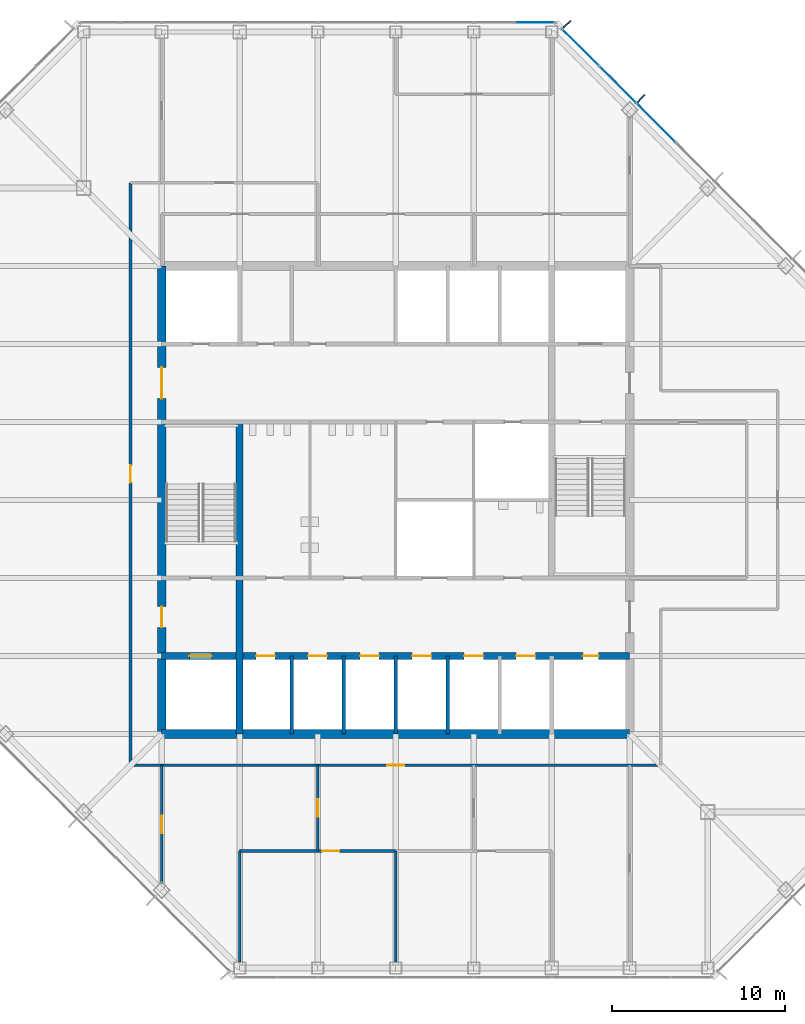
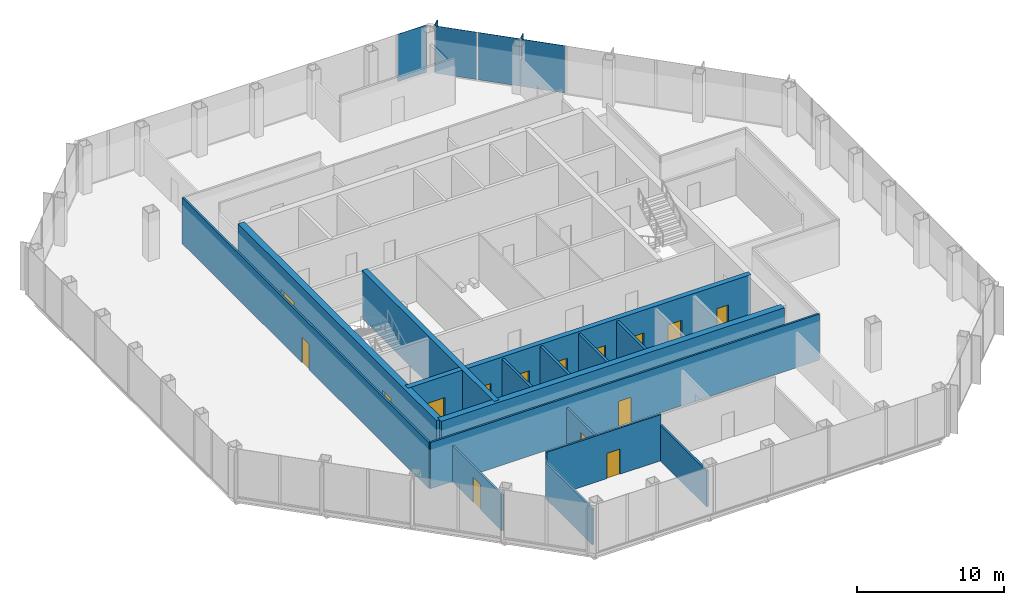
# One storey, part 8 of 12: 15 doors, 15 walls, 6 plates, 15 openings, 2 elements without a shape of their own.
"""IFC4 building model written with IfcOpenShell, lengths in metres."""

import ifcopenshell
import ifcopenshell.guid

model = None  # the IFC model being written
_history = None  # IfcOwnerHistory: only IFC2X3 demands one
_inside = {}  # id of a spatial element -> (the spatial element, [elements in it])
_under = {}  # id of a project, library or spatial element -> (it, [spatial elements below it])
_declared = {}  # id of a project -> (the project, [libraries it declares])
_typed = {}  # id of a type object -> (the type object, [elements of that type])
_made_of = {}  # id of a material, layer set ... -> (it, [elements and type objects made of it])


def new_model(schema):
    """Start an empty IFC model of exactly this schema.

    Asked for "IFC4X3", IfcOpenShell would pick the latest addendum, in which some entities
    have other attributes; the version numbers below select the first issue.
    IFC2X3 requires an IfcOwnerHistory on every rooted entity: one is made here for all.
    """
    global model, _history
    if schema == "IFC4X3":
        model = ifcopenshell.file(schema_version=(4, 3, 0, 0))
    else:
        model = ifcopenshell.file(schema=schema)
    _inside.clear()
    _under.clear()
    _declared.clear()
    _typed.clear()
    _made_of.clear()
    _history = None
    if model.schema == "IFC2X3":
        org = make("IfcOrganization", Name="unknown")
        user = make(
            "IfcPersonAndOrganization",
            ThePerson=make("IfcPerson", FamilyName="unknown"),
            TheOrganization=org,
        )
        app = make(
            "IfcApplication",
            ApplicationDeveloper=org,
            Version="unknown",
            ApplicationFullName="unknown",
            ApplicationIdentifier="unknown",
        )
        _history = make(
            "IfcOwnerHistory",
            OwningUser=user,
            OwningApplication=app,
            ChangeAction="ADDED",
            CreationDate=0,
        )
    return model


def make(cls, **values):
    """One entity of the class cls with the attributes given. An attribute that is None is left unset."""
    return model.create_entity(
        cls, **{name: value for name, value in values.items() if value is not None}
    )


def rooted(cls, **values):
    """An entity with a GlobalId (a new one), such as an element, a storey or a relation."""
    return make(cls, GlobalId=ifcopenshell.guid.new(), OwnerHistory=_history, **values)


def si_unit(unit_type, name, prefix=None):
    """IfcSIUnit, for example si_unit("LENGTHUNIT", "METRE", prefix="MILLI")."""
    return make("IfcSIUnit", UnitType=unit_type, Prefix=prefix, Name=name)


def assignment(units):
    """IfcUnitAssignment: the units of a project."""
    return None if units is None else make("IfcUnitAssignment", Units=units)


def point(xyz):
    """IfcCartesianPoint."""
    return None if xyz is None else make("IfcCartesianPoint", Coordinates=xyz)


def direction(xyz):
    """IfcDirection."""
    return None if xyz is None else make("IfcDirection", DirectionRatios=xyz)


def frame(location, z_axis=None, x_axis=None):
    """IfcAxis2Placement3D, a coordinate frame: its origin and axes. An axis left out is left unset."""
    return make(
        "IfcAxis2Placement3D",
        Location=point(location),
        Axis=direction(z_axis),
        RefDirection=direction(x_axis),
    )


def frame_2d(location, x_axis=None):
    """IfcAxis2Placement2D, a coordinate frame in the plane: its origin and x axis."""
    return make(
        "IfcAxis2Placement2D", Location=point(location), RefDirection=direction(x_axis)
    )


def origin():
    """The frame at (0, 0, 0) with its axes left unset."""
    return frame((0.0, 0.0, 0.0))


def origin_2d():
    """The frame at (0, 0) in the plane with its x axis left unset."""
    return frame_2d((0.0, 0.0))


def place(relative_to, where):
    """IfcLocalPlacement: puts the frame where relative to a parent placement (None: the world)."""
    return make(
        "IfcLocalPlacement", PlacementRelTo=relative_to, RelativePlacement=where
    )


def context(
    kind, dimensions, precision=None, world=None, true_north=None, identifier=None
):
    """IfcGeometricRepresentationContext, for example the 3D "Model" context."""
    return make(
        "IfcGeometricRepresentationContext",
        ContextIdentifier=identifier,
        ContextType=kind,
        CoordinateSpaceDimension=dimensions,
        Precision=precision,
        WorldCoordinateSystem=world,
        TrueNorth=true_north,
    )


def subcontext(parent, identifier, kind, view, scale=None):
    """IfcGeometricRepresentationSubContext, for example "Body" below "Model"."""
    return make(
        "IfcGeometricRepresentationSubContext",
        ContextIdentifier=identifier,
        ContextType=kind,
        ParentContext=parent,
        TargetScale=scale,
        TargetView=view,
    )


def project(units=None, contexts=None):
    """IfcProject with its units and contexts."""
    return rooted(
        "IfcProject",
        Name="project",
        RepresentationContexts=contexts,
        UnitsInContext=assignment(units),
    )


def spatial(cls, under=None, at=None, **own):
    """A site, building, storey or space (cls), placed at a placement, below another one or the project."""
    s = rooted(cls, ObjectPlacement=at, **own)
    if under is not None:
        _under.setdefault(under.id(), (under, []))[1].append(s)
    return s


def profile(cls, at=None, kind="AREA", **sizes):
    """A parametric profile (cls). Its sizes go by their IFC names, for example OverallWidth=200.0."""
    return make(cls, ProfileType=kind, Position=at, **sizes)


def rectangle(**sizes):
    """IfcRectangleProfileDef."""
    return profile("IfcRectangleProfileDef", **sizes)


def extrude(swept, where, along, depth):
    """IfcExtrudedAreaSolid: the profile swept, set in the frame where, extruded along a direction by depth."""
    return make(
        "IfcExtrudedAreaSolid",
        SweptArea=swept,
        Position=where,
        ExtrudedDirection=direction(along),
        Depth=depth,
    )


def shape(context_of_items, identifier, shape_type, items):
    """IfcShapeRepresentation: the items that make up one representation, for example the "Body"."""
    return make(
        "IfcShapeRepresentation",
        ContextOfItems=context_of_items,
        RepresentationIdentifier=identifier,
        RepresentationType=shape_type,
        Items=items,
    )


def material(Name=None, Category=None):
    """IfcMaterial."""
    return make("IfcMaterial", Name=Name, Category=Category)


def layer(
    of_material, thickness, ventilated=None, Name=None, Category=None, Priority=None
):
    """IfcMaterialLayer: one layer of a wall or slab, of a material (None: an air gap)."""
    return make(
        "IfcMaterialLayer",
        Material=of_material,
        LayerThickness=thickness,
        IsVentilated=ventilated,
        Name=Name,
        Category=Category,
        Priority=Priority,
    )


def layer_set(layers, Name=None):
    """IfcMaterialLayerSet."""
    return make("IfcMaterialLayerSet", MaterialLayers=layers, LayerSetName=Name)


def made_of(thing, what):
    """Note that an element or type object is made of a material, layer set ...; save() writes the relation."""
    if what is not None:
        _made_of.setdefault(what.id(), (what, []))[1].append(thing)
    return thing


def type_object(cls, material=None, **own):
    """A type object (cls), such as IfcWallType, which elements share."""
    return made_of(rooted(cls, **own), material)


def element(
    cls,
    number,
    at=None,
    inside=None,
    cuts=None,
    type_object=None,
    material=None,
    context=None,
    identifier="Body",
    shape_type=None,
    held_by="IfcProductDefinitionShape",
    body=None,
    shapes=None,
    **own,
):
    """One element of the class cls, such as IfcWall. Its Tag is "e" and its number.

    at: its placement. inside: the storey or other place that contains it. cuts: it is an
    opening in that element (IfcRelVoidsElement). A single representation is given by context,
    identifier, shape_type and body (its items); several are given by shapes. held_by: the class
    of the entity that holds the representations. save() writes the other relations.
    """
    e = rooted(cls, Tag="e%d" % number, ObjectPlacement=at, **own)
    if body is not None:
        shapes = [shape(context, identifier, shape_type, body)]
    if shapes is not None:
        e.Representation = make(held_by, Representations=shapes)
    if inside is not None:
        _inside.setdefault(inside.id(), (inside, []))[1].append(e)
    if cuts is not None:
        rooted(
            "IfcRelVoidsElement", RelatingBuildingElement=cuts, RelatedOpeningElement=e
        )
    if type_object is not None:
        _typed.setdefault(type_object.id(), (type_object, []))[1].append(e)
    return made_of(e, material)


def fill(opening, filler):
    """IfcRelFillsElement: the door or window that sits in an opening."""
    return rooted(
        "IfcRelFillsElement",
        RelatingOpeningElement=opening,
        RelatedBuildingElement=filler,
    )


def aggregate(whole, parts):
    """IfcRelAggregates: a whole, such as a stair, and the parts it consists of."""
    return rooted("IfcRelAggregates", RelatingObject=whole, RelatedObjects=parts)


def save(model, path):
    """Write the relations noted so far, then the file.

    IfcRelAggregates (storeys below a building ...), IfcRelContainedInSpatialStructure (elements
    in a storey), IfcRelDefinesByType, IfcRelAssociatesMaterial and IfcRelDeclares: one each for
    every whole, place, type object, material and project.
    """
    for whole, parts in _under.values():
        aggregate(whole, parts)
    for where, things in _inside.values():
        rooted(
            "IfcRelContainedInSpatialStructure",
            RelatedElements=things,
            RelatingStructure=where,
        )
    for kind, things in _typed.values():
        rooted("IfcRelDefinesByType", RelatedObjects=things, RelatingType=kind)
    for what, things in _made_of.values():
        rooted("IfcRelAssociatesMaterial", RelatedObjects=things, RelatingMaterial=what)
    for by, libraries in _declared.values():
        rooted("IfcRelDeclares", RelatingContext=by, RelatedDefinitions=libraries)
    model.write(path)


model = new_model("IFC4")

# Units and contexts
model_context = context("Model", 3, precision=1e-05, world=origin(), true_north=direction((0.0, 1.0)))
body_context = subcontext(model_context, "Body", "Model", "MODEL_VIEW")
ifc_project = project(units=[si_unit("LENGTHUNIT", "METRE"), si_unit("AREAUNIT", "SQUARE_METRE"), si_unit("VOLUMEUNIT", "CUBIC_METRE"), si_unit("PLANEANGLEUNIT", "RADIAN"), si_unit("MASSUNIT", "GRAM", prefix="KILO")], contexts=[model_context])

# Site, building, storey
site_placement = place(None, origin())
site = spatial("IfcSite", under=ifc_project, at=site_placement, CompositionType="ELEMENT")
building_placement = place(site_placement, origin())
building = spatial("IfcBuilding", under=site, at=building_placement, Name="Corais Broadcast Tower", CompositionType="ELEMENT")
storey_placement = place(building_placement, frame((0.0, 0.0, 183.60009765625)))
storey = spatial("IfcBuildingStorey", under=building, at=storey_placement, Name="L42", CompositionType="ELEMENT", Elevation=183.60009765625)

# Curtain wall, plates
ifc_material_1 = material(Name="Aluminium and glass", Category="aluminium")
curtain_wall_type = type_object("IfcCurtainWallType", Name="Unitised fritted curtain wall CW2", PredefinedType="NOTDEFINED", material=ifc_material_1)
curtain_wall_1_placement = place(storey_placement, origin())
curtain_wall_1 = element("IfcCurtainWall", 1, at=curtain_wall_1_placement, inside=storey, type_object=curtain_wall_type, Name="CW2 curtain wall L42 5", PredefinedType="NOTDEFINED")
ifc_material_2 = material(Name="Ceramic-fritted laminated glass", Category="glass")
ifc_layer_1 = layer(ifc_material_2, 0.028076171875)
ifc_layer_set_1 = layer_set([ifc_layer_1], Name="Ceramic-fritted laminated glass")
plate_type_1 = type_object("IfcPlateType", Name="Fritted glass panel CW2", PredefinedType="CURTAIN_PANEL", material=ifc_layer_set_1)
plate_1_placement = place(storey_placement, frame((37.669677734375, 53.108154296875, 0.06494140625), z_axis=(0.0, 0.0, 1.0), x_axis=(0.707106781187, -0.707106781187, 0.0)))
plate_1 = element("IfcPlate", 2, at=plate_1_placement, type_object=plate_type_1, Name="CW2 panel 1", PredefinedType="CURTAIN_PANEL", context=body_context, shape_type="SweptSolid", body=[
    extrude(rectangle(XDim=2.9482421875, YDim=0.028076171875, at=origin_2d()), origin(), (0.0, 0.0, 1.0), 3.93505859375),
])
plate_2_placement = place(storey_placement, frame((42.013916015625, 48.763916015625, 0.06494140625), z_axis=(0.0, 0.0, 1.0), x_axis=(0.707106781187, -0.707106781187, 0.0)))
plate_2 = element("IfcPlate", 3, at=plate_2_placement, type_object=plate_type_1, Name="CW2 panel 3", PredefinedType="CURTAIN_PANEL", context=body_context, shape_type="SweptSolid", body=[
    extrude(rectangle(XDim=3.116943359375, YDim=0.028076171875, at=origin_2d()), origin(), (0.0, 0.0, 1.0), 3.93505859375),
])

# Curtain wall, plate
curtain_wall_2_placement = place(storey_placement, origin())
curtain_wall_2 = element("IfcCurtainWall", 4, at=curtain_wall_2_placement, inside=storey, type_object=curtain_wall_type, Name="CW2 curtain wall L42 4", PredefinedType="NOTDEFINED")
ifc_material_3 = material(Name="Clear laminated glass", Category="glass")
ifc_layer_2 = layer(ifc_material_3, 0.031982421875)
ifc_layer_set_2 = layer_set([ifc_layer_2], Name="Clear laminated glass")
plate_type_2 = type_object("IfcPlateType", Name="Operable glass panel CW2", PredefinedType="CURTAIN_PANEL", material=ifc_layer_set_2)
plate_3_placement = place(storey_placement, frame((35.029541015625, 54.550048828125, 0.06494140625), z_axis=(0.0, 0.0, 1.0), x_axis=(1.0, 0.0, 0.0)))
plate_3 = element("IfcPlate", 5, at=plate_3_placement, type_object=plate_type_2, Name="CW2 operable panel 8", PredefinedType="CURTAIN_PANEL", context=body_context, shape_type="SweptSolid", body=[
    extrude(rectangle(XDim=2.266357421875, YDim=0.031982421875, at=origin_2d()), origin(), (0.0, 0.0, 1.0), 3.93505859375),
])
aggregate(curtain_wall_2, [plate_3])

# Plate
plate_4_placement = place(storey_placement, frame((39.81201171875, 50.9658203125, 0.06494140625), z_axis=(0.0, 0.0, 1.0), x_axis=(0.707106781187, -0.707106781187, 0.0)))
plate_4 = element("IfcPlate", 6, at=plate_4_placement, type_object=plate_type_2, Name="CW2 operable panel 2", PredefinedType="CURTAIN_PANEL", context=body_context, shape_type="SweptSolid", body=[
    extrude(rectangle(XDim=2.98095703125, YDim=0.031982421875, at=origin_2d()), origin(), (0.0, 0.0, 1.0), 3.93505859375),
])

aggregate(curtain_wall_1, [plate_1, plate_4, plate_2])

# Plates
ifc_material_4 = material(Name="Granite stone cladding", Category="masonry")
ifc_layer_3 = layer(ifc_material_4, 0.080078125)
ifc_layer_set_3 = layer_set([ifc_layer_3], Name="Granite stone cladding")
plate_type_3 = type_object("IfcPlateType", Name="Stone screen fin 80x600", PredefinedType="USERDEFINED", material=ifc_layer_set_3)
for number, where, z_axis, x_axis, name in (
    (7, (36.8779296875, 54.447021484375, 0.0), (0.0, 0.0, 1.0), (0.707106781187, -0.707106781187, 0.0), "SF1 stone screen fin L42"),
    (8, (41.16259765625, 50.16259765625, 0.0), (0.0, 0.0, 1.0), (0.707106781187, -0.707106781187, 0.0), "SF1 stone screen fin L42"),
):
    element("IfcPlate", number, at=place(storey_placement, frame(where, z_axis=z_axis, x_axis=x_axis)), inside=storey, type_object=plate_type_3, Name=name, ObjectType="STONE SCREEN FIN", PredefinedType="USERDEFINED", context=body_context, shape_type="SweptSolid", body=[
        extrude(rectangle(XDim=0.080078125, YDim=0.60009765625, at=origin_2d()), origin(), (0.0, 0.0, 1.0), 4.0),
    ])

# Wall
ifc_material_5 = material(Name="Concrete C50/60", Category="concrete")
ifc_layer_4 = layer(ifc_material_5, 0.39990234375)
ifc_layer_set_4 = layer_set([ifc_layer_4], Name="Concrete C50/60")
wall_type_1 = type_object("IfcWallType", Name="Core wall 400", PredefinedType="SHEAR", material=ifc_layer_set_4)
wall_1_placement = place(storey_placement, frame((18.0, 13.5, 0.0), z_axis=(0.0, 0.0, 1.0), x_axis=(0.0, 1.0, 0.0)))
element("IfcWall", 9, at=wall_1_placement, inside=storey, type_object=wall_type_1, Name="CR400 core wall X18A L42", PredefinedType="SHEAR", context=body_context, shape_type="SweptSolid", body=[
    extrude(rectangle(XDim=18.0, YDim=0.39990234375, at=frame_2d((9.0, 0.0))), origin(), (0.0, 0.0, 1.0), 4.0),
])

# Wall, openings, doors
wall_2_placement = place(storey_placement, frame((13.5, 18.0, 0.0), z_axis=(0.0, 0.0, 1.0), x_axis=(1.0, 0.0, 0.0)))
wall_2 = element("IfcWall", 10, at=wall_2_placement, inside=storey, type_object=wall_type_1, Name="CR400 core wall Y18 L42", PredefinedType="SHEAR", context=body_context, shape_type="SweptSolid", body=[
    extrude(rectangle(XDim=27.0, YDim=0.39990234375, at=frame_2d((13.5, 0.0))), origin(), (0.0, 0.0, 1.0), 4.0),
])
opening_1_placement = place(wall_2_placement, frame((24.300048828125, 0.0, 0.0)))
opening_1 = element("IfcOpeningElement", 11, at=opening_1_placement, cuts=wall_2, Name="Opening RD1", PredefinedType="OPENING", context=body_context, shape_type="SweptSolid", body=[
    extrude(rectangle(XDim=0.89990234375, YDim=2.10009765625, at=frame_2d((0.449951171875, 1.050048828125))), frame((0.0, 0.2099609375, 0.0), z_axis=(0.0, -1.0, 0.0), x_axis=(1.0, 0.0, 0.0)), (0.0, 0.0, 1.0), 0.419921875),
])
opening_2_placement = place(wall_2_placement, frame((5.449951171875, 0.0, 0.0)))
opening_2 = element("IfcOpeningElement", 12, at=opening_2_placement, cuts=wall_2, Name="Opening LD1", PredefinedType="OPENING", context=body_context, shape_type="SweptSolid", body=[
    extrude(rectangle(XDim=1.10009765625, YDim=2.10009765625, at=frame_2d((0.550048828125, 1.050048828125))), frame((0.0, 0.2099609375, 0.0), z_axis=(0.0, -1.0, 0.0), x_axis=(1.0, 0.0, 0.0)), (0.0, 0.0, 1.0), 0.419921875),
])
opening_3_placement = place(wall_2_placement, frame((8.449951171875, 0.0, 0.0)))
opening_3 = element("IfcOpeningElement", 13, at=opening_3_placement, cuts=wall_2, Name="Opening LD1", PredefinedType="OPENING", context=body_context, shape_type="SweptSolid", body=[
    extrude(rectangle(XDim=1.10009765625, YDim=2.10009765625, at=frame_2d((0.550048828125, 1.050048828125))), frame((0.0, 0.2099609375, 0.0), z_axis=(0.0, -1.0, 0.0), x_axis=(1.0, 0.0, 0.0)), (0.0, 0.0, 1.0), 0.419921875),
])
opening_4_placement = place(wall_2_placement, frame((11.449951171875, 0.0, 0.0)))
opening_4 = element("IfcOpeningElement", 14, at=opening_4_placement, cuts=wall_2, Name="Opening LD1", PredefinedType="OPENING", context=body_context, shape_type="SweptSolid", body=[
    extrude(rectangle(XDim=1.10009765625, YDim=2.10009765625, at=frame_2d((0.550048828125, 1.050048828125))), frame((0.0, 0.2099609375, 0.0), z_axis=(0.0, -1.0, 0.0), x_axis=(1.0, 0.0, 0.0)), (0.0, 0.0, 1.0), 0.419921875),
])
opening_5_placement = place(wall_2_placement, frame((14.449951171875, 0.0, 0.0)))
opening_5 = element("IfcOpeningElement", 15, at=opening_5_placement, cuts=wall_2, Name="Opening LD1", PredefinedType="OPENING", context=body_context, shape_type="SweptSolid", body=[
    extrude(rectangle(XDim=1.10009765625, YDim=2.10009765625, at=frame_2d((0.550048828125, 1.050048828125))), frame((0.0, 0.2099609375, 0.0), z_axis=(0.0, -1.0, 0.0), x_axis=(1.0, 0.0, 0.0)), (0.0, 0.0, 1.0), 0.419921875),
])
opening_6_placement = place(wall_2_placement, frame((17.449951171875, 0.0, 0.0)))
opening_6 = element("IfcOpeningElement", 16, at=opening_6_placement, cuts=wall_2, Name="Opening LD1", PredefinedType="OPENING", context=body_context, shape_type="SweptSolid", body=[
    extrude(rectangle(XDim=1.10009765625, YDim=2.10009765625, at=frame_2d((0.550048828125, 1.050048828125))), frame((0.0, 0.2099609375, 0.0), z_axis=(0.0, -1.0, 0.0), x_axis=(1.0, 0.0, 0.0)), (0.0, 0.0, 1.0), 0.419921875),
])
opening_7_placement = place(wall_2_placement, frame((20.449951171875, 0.0, 0.0)))
opening_7 = element("IfcOpeningElement", 17, at=opening_7_placement, cuts=wall_2, Name="Opening LD1", PredefinedType="OPENING", context=body_context, shape_type="SweptSolid", body=[
    extrude(rectangle(XDim=1.10009765625, YDim=2.10009765625, at=frame_2d((0.550048828125, 1.050048828125))), frame((0.0, 0.2099609375, 0.0), z_axis=(0.0, -1.0, 0.0), x_axis=(1.0, 0.0, 0.0)), (0.0, 0.0, 1.0), 0.419921875),
])
opening_8_placement = place(wall_2_placement, frame((1.60009765625, 0.0, 0.0)))
opening_8 = element("IfcOpeningElement", 18, at=opening_8_placement, cuts=wall_2, Name="Opening LD2", PredefinedType="OPENING", context=body_context, shape_type="SweptSolid", body=[
    extrude(rectangle(XDim=1.300048828125, YDim=2.199951171875, at=frame_2d((0.64990234375, 1.10009765625))), frame((0.0, 0.2099609375, 0.0), z_axis=(0.0, -1.0, 0.0), x_axis=(1.0, 0.0, 0.0)), (0.0, 0.0, 1.0), 0.419921875),
])
ifc_material_6 = material(Name="Stainless steel lift door", Category="steel")
door_type_1 = type_object("IfcDoorType", Name="Lift landing door 1100x2100", OperationType="SLIDING_TO_LEFT", PredefinedType="DOOR", material=ifc_material_6)
door_1_placement = place(opening_2_placement, origin())
door_1 = element("IfcDoor", 19, at=door_1_placement, inside=storey, type_object=door_type_1, Name="LD1 PM1 landing door L42", OperationType="SLIDING_TO_LEFT", OverallHeight=2.10009765625, OverallWidth=1.10009765625, PredefinedType="DOOR", context=body_context, shape_type="SweptSolid", body=[
    extrude(rectangle(XDim=1.10009765625, YDim=2.10009765625, at=frame_2d((0.550048828125, 1.050048828125))), frame((0.0, 0.02490234375, 0.0), z_axis=(0.0, -1.0, 0.0), x_axis=(1.0, 0.0, 0.0)), (0.0, 0.0, 1.0), 0.050048828125),
])
fill(opening_2, door_1)
door_2_placement = place(opening_3_placement, origin())
door_2 = element("IfcDoor", 20, at=door_2_placement, inside=storey, type_object=door_type_1, Name="LD1 PM2 landing door L42", OperationType="SLIDING_TO_LEFT", OverallHeight=2.10009765625, OverallWidth=1.10009765625, PredefinedType="DOOR", context=body_context, shape_type="SweptSolid", body=[
    extrude(rectangle(XDim=1.10009765625, YDim=2.10009765625, at=frame_2d((0.550048828125, 1.050048828125))), frame((0.0, 0.02490234375, 0.0), z_axis=(0.0, -1.0, 0.0), x_axis=(1.0, 0.0, 0.0)), (0.0, 0.0, 1.0), 0.050048828125),
])
fill(opening_3, door_2)
door_3_placement = place(opening_4_placement, origin())
door_3 = element("IfcDoor", 21, at=door_3_placement, inside=storey, type_object=door_type_1, Name="LD1 PM3 landing door L42", OperationType="SLIDING_TO_LEFT", OverallHeight=2.10009765625, OverallWidth=1.10009765625, PredefinedType="DOOR", context=body_context, shape_type="SweptSolid", body=[
    extrude(rectangle(XDim=1.10009765625, YDim=2.10009765625, at=frame_2d((0.550048828125, 1.050048828125))), frame((0.0, 0.02490234375, 0.0), z_axis=(0.0, -1.0, 0.0), x_axis=(1.0, 0.0, 0.0)), (0.0, 0.0, 1.0), 0.050048828125),
])
fill(opening_4, door_3)
door_4_placement = place(opening_5_placement, origin())
door_4 = element("IfcDoor", 22, at=door_4_placement, inside=storey, type_object=door_type_1, Name="LD1 PM4 landing door L42", OperationType="SLIDING_TO_LEFT", OverallHeight=2.10009765625, OverallWidth=1.10009765625, PredefinedType="DOOR", context=body_context, shape_type="SweptSolid", body=[
    extrude(rectangle(XDim=1.10009765625, YDim=2.10009765625, at=frame_2d((0.550048828125, 1.050048828125))), frame((0.0, 0.02490234375, 0.0), z_axis=(0.0, -1.0, 0.0), x_axis=(1.0, 0.0, 0.0)), (0.0, 0.0, 1.0), 0.050048828125),
])
fill(opening_5, door_4)
door_5_placement = place(opening_6_placement, origin())
door_5 = element("IfcDoor", 23, at=door_5_placement, inside=storey, type_object=door_type_1, Name="LD1 PM5 landing door L42", OperationType="SLIDING_TO_LEFT", OverallHeight=2.10009765625, OverallWidth=1.10009765625, PredefinedType="DOOR", context=body_context, shape_type="SweptSolid", body=[
    extrude(rectangle(XDim=1.10009765625, YDim=2.10009765625, at=frame_2d((0.550048828125, 1.050048828125))), frame((0.0, 0.02490234375, 0.0), z_axis=(0.0, -1.0, 0.0), x_axis=(1.0, 0.0, 0.0)), (0.0, 0.0, 1.0), 0.050048828125),
])
fill(opening_6, door_5)
door_6_placement = place(opening_7_placement, origin())
door_6 = element("IfcDoor", 24, at=door_6_placement, inside=storey, type_object=door_type_1, Name="LD1 PM6 landing door L42", OperationType="SLIDING_TO_LEFT", OverallHeight=2.10009765625, OverallWidth=1.10009765625, PredefinedType="DOOR", context=body_context, shape_type="SweptSolid", body=[
    extrude(rectangle(XDim=1.10009765625, YDim=2.10009765625, at=frame_2d((0.550048828125, 1.050048828125))), frame((0.0, 0.02490234375, 0.0), z_axis=(0.0, -1.0, 0.0), x_axis=(1.0, 0.0, 0.0)), (0.0, 0.0, 1.0), 0.050048828125),
])
fill(opening_7, door_6)
ifc_material_7 = material(Name="Stainless steel lift door", Category="steel")
door_type_2 = type_object("IfcDoorType", Name="Lift landing door 1300x2200", OperationType="SLIDING_TO_LEFT", PredefinedType="DOOR", material=ifc_material_7)
door_7_placement = place(opening_8_placement, origin())
door_7 = element("IfcDoor", 25, at=door_7_placement, inside=storey, type_object=door_type_2, Name="LD2 FL1 landing door L42", OperationType="SLIDING_TO_LEFT", OverallHeight=2.199951171875, OverallWidth=1.300048828125, PredefinedType="DOOR", context=body_context, shape_type="SweptSolid", body=[
    extrude(rectangle(XDim=1.300048828125, YDim=2.199951171875, at=frame_2d((0.64990234375, 1.10009765625))), frame((0.0, 0.02490234375, 0.0), z_axis=(0.0, -1.0, 0.0), x_axis=(1.0, 0.0, 0.0)), (0.0, 0.0, 1.0), 0.050048828125),
])
fill(opening_8, door_7)
ifc_material_8 = material(Name="Steel fire door", Category="steel")
door_type_3 = type_object("IfcDoorType", Name="Riser door 900x2100", OperationType="SINGLE_SWING_LEFT", PredefinedType="DOOR", material=ifc_material_8)
door_8_placement = place(opening_1_placement, origin())
door_8 = element("IfcDoor", 26, at=door_8_placement, inside=storey, type_object=door_type_3, Name="RD1 riser door L42", OperationType="SINGLE_SWING_RIGHT", OverallHeight=2.10009765625, OverallWidth=0.89990234375, PredefinedType="DOOR", context=body_context, shape_type="SweptSolid", body=[
    extrude(rectangle(XDim=0.89990234375, YDim=2.10009765625, at=frame_2d((0.449951171875, 1.050048828125))), frame((0.0, 0.02490234375, 0.0), z_axis=(0.0, -1.0, 0.0), x_axis=(1.0, 0.0, 0.0)), (0.0, 0.0, 1.0), 0.050048828125),
])
fill(opening_1, door_8)

# Wall
ifc_material_9 = material(Name="Concrete C50/60", Category="concrete")
ifc_layer_5 = layer(ifc_material_9, 0.5)
ifc_layer_set_5 = layer_set([ifc_layer_5], Name="Concrete C50/60")
wall_type_2 = type_object("IfcWallType", Name="Core wall 500", PredefinedType="SHEAR", material=ifc_layer_set_5)
wall_3_placement = place(storey_placement, frame((13.5, 13.5, 0.0), z_axis=(0.0, 0.0, 1.0), x_axis=(1.0, 0.0, 0.0)))
element("IfcWall", 27, at=wall_3_placement, inside=storey, type_object=wall_type_2, Name="CR500 core wall S L42", PredefinedType="SHEAR", context=body_context, shape_type="SweptSolid", body=[
    extrude(rectangle(XDim=27.0, YDim=0.5, at=frame_2d((13.5, 0.0))), origin(), (0.0, 0.0, 1.0), 4.0),
])

# Wall, openings, doors
wall_4_placement = place(storey_placement, frame((13.5, 40.5, 0.0), z_axis=(0.0, 0.0, 1.0), x_axis=(0.0, -1.0, 0.0)))
wall_4 = element("IfcWall", 28, at=wall_4_placement, inside=storey, type_object=wall_type_2, Name="CR500 core wall W L42", PredefinedType="SHEAR", context=body_context, shape_type="SweptSolid", body=[
    extrude(rectangle(XDim=27.0, YDim=0.5, at=frame_2d((13.5, 0.0))), origin(), (0.0, 0.0, 1.0), 4.0),
])
opening_9_placement = place(wall_4_placement, frame((19.64990234375, 0.0, 0.0)))
opening_9 = element("IfcOpeningElement", 29, at=opening_9_placement, cuts=wall_4, Name="Opening FD1", PredefinedType="OPENING", context=body_context, shape_type="SweptSolid", body=[
    extrude(rectangle(XDim=1.199951171875, YDim=2.10009765625, at=frame_2d((0.60009765625, 1.050048828125))), frame((0.0, 0.260009765625, 0.0), z_axis=(0.0, -1.0, 0.0), x_axis=(1.0, 0.0, 0.0)), (0.0, 0.0, 1.0), 0.52001953125),
])
opening_10_placement = place(wall_4_placement, frame((5.85009765625, 0.0, 0.0)))
opening_10 = element("IfcOpeningElement", 30, at=opening_10_placement, cuts=wall_4, Name="Opening FD2", PredefinedType="OPENING", context=body_context, shape_type="SweptSolid", body=[
    extrude(rectangle(XDim=1.800048828125, YDim=2.10009765625, at=frame_2d((0.89990234375, 1.050048828125))), frame((0.0, 0.260009765625, 0.0), z_axis=(0.0, -1.0, 0.0), x_axis=(1.0, 0.0, 0.0)), (0.0, 0.0, 1.0), 0.52001953125),
])
ifc_material_10 = material(Name="Steel fire door", Category="steel")
door_type_4 = type_object("IfcDoorType", Name="Fire door 1200x2100", OperationType="SINGLE_SWING_LEFT", PredefinedType="DOOR", material=ifc_material_10)
door_9_placement = place(opening_9_placement, origin())
door_9 = element("IfcDoor", 31, at=door_9_placement, inside=storey, type_object=door_type_4, Name="FD1 fire lobby A door L42", OperationType="SINGLE_SWING_RIGHT", OverallHeight=2.10009765625, OverallWidth=1.199951171875, PredefinedType="DOOR", context=body_context, shape_type="SweptSolid", body=[
    extrude(rectangle(XDim=1.199951171875, YDim=2.10009765625, at=frame_2d((0.60009765625, 1.050048828125))), frame((0.0, 0.02490234375, 0.0), z_axis=(0.0, -1.0, 0.0), x_axis=(1.0, 0.0, 0.0)), (0.0, 0.0, 1.0), 0.050048828125),
])
fill(opening_9, door_9)
ifc_material_11 = material(Name="Steel fire door", Category="steel")
door_type_5 = type_object("IfcDoorType", Name="Fire door pair 1800x2100", OperationType="DOUBLE_DOOR_SINGLE_SWING", PredefinedType="DOOR", material=ifc_material_11)
door_10_placement = place(opening_10_placement, origin())
door_10 = element("IfcDoor", 32, at=door_10_placement, inside=storey, type_object=door_type_5, Name="FD2 lift lobby door L42", OperationType="SINGLE_SWING_LEFT", OverallHeight=2.10009765625, OverallWidth=1.800048828125, PredefinedType="DOOR", context=body_context, shape_type="SweptSolid", body=[
    extrude(rectangle(XDim=1.800048828125, YDim=2.10009765625, at=frame_2d((0.89990234375, 1.050048828125))), frame((0.0, 0.02490234375, 0.0), z_axis=(0.0, -1.0, 0.0), x_axis=(1.0, 0.0, 0.0)), (0.0, 0.0, 1.0), 0.050048828125),
])
fill(opening_10, door_10)

# Wall, opening, door
ifc_material_12 = material(Name="Gypsum board on steel studs", Category="steel")
ifc_layer_6 = layer(ifc_material_12, 0.14990234375)
ifc_layer_set_6 = layer_set([ifc_layer_6], Name="Gypsum board on steel studs")
wall_type_3 = type_object("IfcWallType", Name="Partition 150", PredefinedType="PARTITIONING", material=ifc_layer_set_6)
wall_5_placement = place(storey_placement, frame((11.699951171875, 45.300048828125, 0.0), z_axis=(0.0, 0.0, 1.0), x_axis=(0.0, -1.0, 0.0)))
wall_5 = element("IfcWall", 33, at=wall_5_placement, inside=storey, type_object=wall_type_3, Name="IW3 corridor wall L42", PredefinedType="PARTITIONING", context=body_context, shape_type="SweptSolid", body=[
    extrude(rectangle(XDim=33.60009765625, YDim=0.14990234375, at=frame_2d((16.800048828125, 0.0))), origin(), (0.0, 0.0, 1.0), 3.83984375),
])
opening_11_placement = place(wall_5_placement, frame((16.300048828125, 0.0, 0.0)))
opening_11 = element("IfcOpeningElement", 34, at=opening_11_placement, cuts=wall_5, Name="Opening D1", PredefinedType="OPENING", context=body_context, shape_type="SweptSolid", body=[
    extrude(rectangle(XDim=1.0, YDim=2.10009765625, at=frame_2d((0.5, 1.050048828125))), frame((0.0, 0.0849609375, 0.0), z_axis=(0.0, -1.0, 0.0), x_axis=(1.0, 0.0, 0.0)), (0.0, 0.0, 1.0), 0.169921875),
])
ifc_material_13 = material(Name="Timber door", Category="wood")
door_type_6 = type_object("IfcDoorType", Name="Single door 1000x2100", OperationType="SINGLE_SWING_LEFT", PredefinedType="DOOR", material=ifc_material_13)
door_11_placement = place(opening_11_placement, origin())
door_11 = element("IfcDoor", 35, at=door_11_placement, inside=storey, type_object=door_type_6, Name="D1 workplace door L42", OperationType="SINGLE_SWING_LEFT", OverallHeight=2.10009765625, OverallWidth=1.0, PredefinedType="DOOR", context=body_context, shape_type="SweptSolid", body=[
    extrude(rectangle(XDim=1.0, YDim=2.10009765625, at=frame_2d((0.5, 1.050048828125))), frame((0.0, 0.02490234375, 0.0), z_axis=(0.0, -1.0, 0.0), x_axis=(1.0, 0.0, 0.0)), (0.0, 0.0, 1.0), 0.050048828125),
])
fill(opening_11, door_11)

wall_6_placement = place(storey_placement, frame((11.699951171875, 11.699951171875, 0.0), z_axis=(0.0, 0.0, 1.0), x_axis=(1.0, 0.0, 0.0)))
wall_6 = element("IfcWall", 36, at=wall_6_placement, inside=storey, type_object=wall_type_3, Name="IW3 corridor wall L42", PredefinedType="PARTITIONING", context=body_context, shape_type="SweptSolid", body=[
    extrude(rectangle(XDim=30.60009765625, YDim=0.14990234375, at=frame_2d((15.300048828125, 0.0))), origin(), (0.0, 0.0, 1.0), 3.83984375),
])
opening_12_placement = place(wall_6_placement, frame((14.800048828125, 0.0, 0.0)))
opening_12 = element("IfcOpeningElement", 37, at=opening_12_placement, cuts=wall_6, Name="Opening D1", PredefinedType="OPENING", context=body_context, shape_type="SweptSolid", body=[
    extrude(rectangle(XDim=1.0, YDim=2.10009765625, at=frame_2d((0.5, 1.050048828125))), frame((0.0, 0.0849609375, 0.0), z_axis=(0.0, -1.0, 0.0), x_axis=(1.0, 0.0, 0.0)), (0.0, 0.0, 1.0), 0.169921875),
])
door_12_placement = place(opening_12_placement, origin())
door_12 = element("IfcDoor", 38, at=door_12_placement, inside=storey, type_object=door_type_6, Name="D1 workplace door L42", OperationType="SINGLE_SWING_LEFT", OverallHeight=2.10009765625, OverallWidth=1.0, PredefinedType="DOOR", context=body_context, shape_type="SweptSolid", body=[
    extrude(rectangle(XDim=1.0, YDim=2.10009765625, at=frame_2d((0.5, 1.050048828125))), frame((0.0, 0.02490234375, 0.0), z_axis=(0.0, -1.0, 0.0), x_axis=(1.0, 0.0, 0.0)), (0.0, 0.0, 1.0), 0.050048828125),
])
fill(opening_12, door_12)

# Wall
wall_7_placement = place(storey_placement, frame((27.0, 0.360107421875, 0.0), z_axis=(0.0, 0.0, 1.0), x_axis=(0.0, 1.0, 0.0)))
element("IfcWall", 39, at=wall_7_placement, inside=storey, type_object=wall_type_3, Name="IW3 partition L42", PredefinedType="PARTITIONING", context=body_context, shape_type="SweptSolid", body=[
    extrude(rectangle(XDim=6.389892578125, YDim=0.14990234375, at=frame_2d((3.19482421875, 0.0))), origin(), (0.0, 0.0, 1.0), 2.989013671875),
])

# Wall, opening, door
wall_8_placement = place(storey_placement, frame((27.0, 6.75, 0.0), z_axis=(0.0, 0.0, 1.0), x_axis=(-1.0, 0.0, 0.0)))
wall_8 = element("IfcWall", 40, at=wall_8_placement, inside=storey, type_object=wall_type_3, Name="IW3 partition L42", PredefinedType="PARTITIONING", context=body_context, shape_type="SweptSolid", body=[
    extrude(rectangle(XDim=9.0, YDim=0.14990234375, at=frame_2d((4.5, 0.0))), origin(), (0.0, 0.0, 1.0), 3.83984375),
])
opening_13_placement = place(wall_8_placement, frame((3.25, 0.0, 0.0)))
opening_13 = element("IfcOpeningElement", 41, at=opening_13_placement, cuts=wall_8, Name="Opening D1", PredefinedType="OPENING", context=body_context, shape_type="SweptSolid", body=[
    extrude(rectangle(XDim=1.0, YDim=2.10009765625, at=frame_2d((0.5, 1.050048828125))), frame((0.0, 0.0849609375, 0.0), z_axis=(0.0, -1.0, 0.0), x_axis=(1.0, 0.0, 0.0)), (0.0, 0.0, 1.0), 0.169921875),
])
door_13_placement = place(opening_13_placement, origin())
door_13 = element("IfcDoor", 42, at=door_13_placement, inside=storey, type_object=door_type_6, Name="D1 Team office door", OperationType="SINGLE_SWING_LEFT", OverallHeight=2.10009765625, OverallWidth=1.0, PredefinedType="DOOR", context=body_context, shape_type="SweptSolid", body=[
    extrude(rectangle(XDim=1.0, YDim=2.10009765625, at=frame_2d((0.5, 1.050048828125))), frame((0.0, 0.02490234375, 0.0), z_axis=(0.0, -1.0, 0.0), x_axis=(1.0, 0.0, 0.0)), (0.0, 0.0, 1.0), 0.050048828125),
])
fill(opening_13, door_13)

# Wall
wall_9_placement = place(storey_placement, frame((18.0, 6.75, 0.0), z_axis=(0.0, 0.0, 1.0), x_axis=(0.0, -1.0, 0.0)))
element("IfcWall", 43, at=wall_9_placement, inside=storey, type_object=wall_type_3, Name="IW3 partition L42", PredefinedType="PARTITIONING", context=body_context, shape_type="SweptSolid", body=[
    extrude(rectangle(XDim=6.389892578125, YDim=0.14990234375, at=frame_2d((3.19482421875, 0.0))), origin(), (0.0, 0.0, 1.0), 2.989013671875),
])

# Wall, opening, door
wall_10_placement = place(storey_placement, frame((13.5, 11.699951171875, 0.0), z_axis=(0.0, 0.0, 1.0), x_axis=(0.0, -1.0, 0.0)))
wall_10 = element("IfcWall", 44, at=wall_10_placement, inside=storey, type_object=wall_type_3, Name="IW3 partition L42", PredefinedType="PARTITIONING", context=body_context, shape_type="SweptSolid", body=[
    extrude(rectangle(XDim=6.829833984375, YDim=0.14990234375, at=frame_2d((3.4150390625, 0.0))), origin(), (0.0, 0.0, 1.0), 2.989013671875),
])
opening_14_placement = place(wall_10_placement, frame((2.9150390625, 0.0, 0.0)))
opening_14 = element("IfcOpeningElement", 45, at=opening_14_placement, cuts=wall_10, Name="Opening D1", PredefinedType="OPENING", context=body_context, shape_type="SweptSolid", body=[
    extrude(rectangle(XDim=1.0, YDim=2.10009765625, at=frame_2d((0.5, 1.050048828125))), frame((0.0, 0.0849609375, 0.0), z_axis=(0.0, -1.0, 0.0), x_axis=(1.0, 0.0, 0.0)), (0.0, 0.0, 1.0), 0.169921875),
])
door_14_placement = place(opening_14_placement, origin())
door_14 = element("IfcDoor", 46, at=door_14_placement, inside=storey, type_object=door_type_6, Name="D1 team room door L42", OperationType="SINGLE_SWING_LEFT", OverallHeight=2.10009765625, OverallWidth=1.0, PredefinedType="DOOR", context=body_context, shape_type="SweptSolid", body=[
    extrude(rectangle(XDim=1.0, YDim=2.10009765625, at=frame_2d((0.5, 1.050048828125))), frame((0.0, 0.02490234375, 0.0), z_axis=(0.0, -1.0, 0.0), x_axis=(1.0, 0.0, 0.0)), (0.0, 0.0, 1.0), 0.050048828125),
])
fill(opening_14, door_14)

wall_11_placement = place(storey_placement, frame((22.5, 11.699951171875, 0.0), z_axis=(0.0, 0.0, 1.0), x_axis=(0.0, -1.0, 0.0)))
wall_11 = element("IfcWall", 47, at=wall_11_placement, inside=storey, type_object=wall_type_3, Name="IW3 partition L42", PredefinedType="PARTITIONING", context=body_context, shape_type="SweptSolid", body=[
    extrude(rectangle(XDim=4.949951171875, YDim=0.14990234375, at=frame_2d((2.47509765625, 0.0))), origin(), (0.0, 0.0, 1.0), 2.989013671875),
])
opening_15_placement = place(wall_11_placement, frame((1.97509765625, 0.0, 0.0)))
opening_15 = element("IfcOpeningElement", 48, at=opening_15_placement, cuts=wall_11, Name="Opening D1", PredefinedType="OPENING", context=body_context, shape_type="SweptSolid", body=[
    extrude(rectangle(XDim=1.0, YDim=2.10009765625, at=frame_2d((0.5, 1.050048828125))), frame((0.0, 0.0849609375, 0.0), z_axis=(0.0, -1.0, 0.0), x_axis=(1.0, 0.0, 0.0)), (0.0, 0.0, 1.0), 0.169921875),
])
door_15_placement = place(opening_15_placement, origin())
door_15 = element("IfcDoor", 49, at=door_15_placement, inside=storey, type_object=door_type_6, Name="D1 team room door L42", OperationType="SINGLE_SWING_LEFT", OverallHeight=2.10009765625, OverallWidth=1.0, PredefinedType="DOOR", context=body_context, shape_type="SweptSolid", body=[
    extrude(rectangle(XDim=1.0, YDim=2.10009765625, at=frame_2d((0.5, 1.050048828125))), frame((0.0, 0.02490234375, 0.0), z_axis=(0.0, -1.0, 0.0), x_axis=(1.0, 0.0, 0.0)), (0.0, 0.0, 1.0), 0.050048828125),
])
fill(opening_15, door_15)

# Walls
ifc_material_14 = material(Name="Concrete blockwork class A, grouted, two-hour", Category="masonry")
ifc_layer_7 = layer(ifc_material_14, 0.199951171875)
ifc_layer_set_7 = layer_set([ifc_layer_7], Name="Concrete blockwork class A, grouted, two-hour")
wall_type_4 = type_object("IfcWallType", Name="Shaft wall 200", PredefinedType="PARTITIONING", material=ifc_layer_set_7)
for number, where, z_axis, x_axis, name in (
    (50, (21.0, 13.5, 0.0), (0.0, 0.0, 1.0), (0.0, 1.0, 0.0), "IW1 shaft wall L42"),
    (51, (24.0, 13.5, 0.0), (0.0, 0.0, 1.0), (0.0, 1.0, 0.0), "IW1 shaft wall L42"),
    (52, (27.0, 13.5, 0.0), (0.0, 0.0, 1.0), (0.0, 1.0, 0.0), "IW1 shaft wall L42"),
    (53, (30.0, 13.5, 0.0), (0.0, 0.0, 1.0), (0.0, 1.0, 0.0), "IW1 shaft wall L42"),
):
    element("IfcWall", number, at=place(storey_placement, frame(where, z_axis=z_axis, x_axis=x_axis)), inside=storey, type_object=wall_type_4, Name=name, PredefinedType="PARTITIONING", context=body_context, shape_type="SweptSolid", body=[
        extrude(rectangle(XDim=4.5, YDim=0.199951171875, at=frame_2d((2.25, 0.0))), origin(), (0.0, 0.0, 1.0), 3.83984375),
    ])

save(model, "model.ifc")
